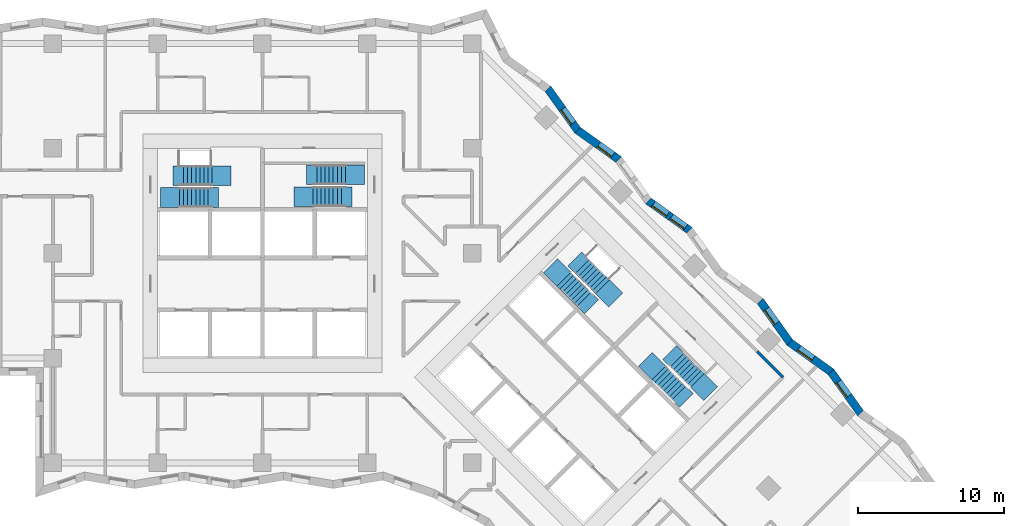
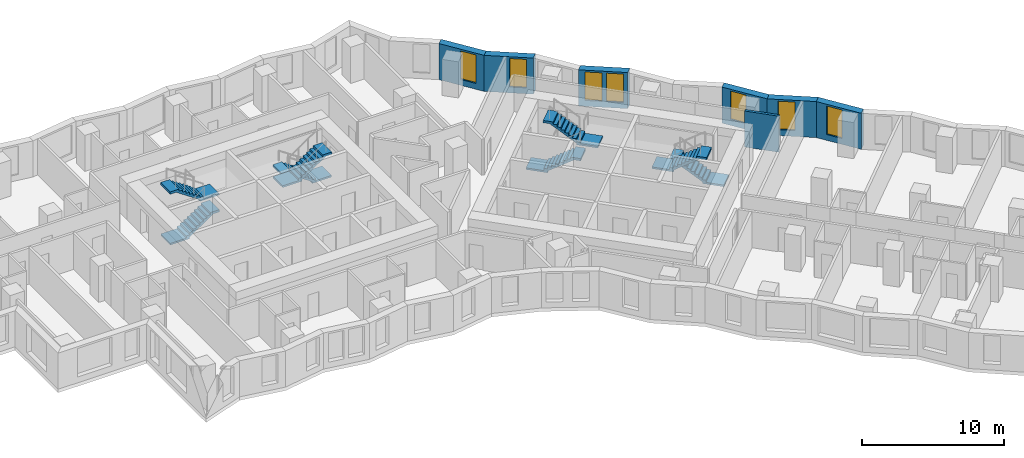
# One storey, part 10 of 12: 8 stair flights, 7 walls, 7 windows, 7 openings, 4 elements without a shape of their own.
"""IFC4 building model written with IfcOpenShell, lengths in metres."""

from ifc_helpers import new_model, si_unit, direction, frame, frame_2d, origin, place, context, subcontext, project, spatial, polyline, rectangle, outline, extrude, material, layer, layer_set, type_object, element, fill, aggregate, save


model = new_model("IFC4")

# Units and contexts
model_context = context("Model", 3, precision=1e-05, world=origin(), true_north=direction((0.0, 1.0)))
body_context = subcontext(model_context, "Body", "Model", "MODEL_VIEW")
ifc_project = project(units=[si_unit("LENGTHUNIT", "METRE"), si_unit("AREAUNIT", "SQUARE_METRE"), si_unit("VOLUMEUNIT", "CUBIC_METRE"), si_unit("PLANEANGLEUNIT", "RADIAN"), si_unit("MASSUNIT", "GRAM", prefix="KILO")], contexts=[model_context])

# Site, building, storey
site_placement = place(None, origin())
site = spatial("IfcSite", under=ifc_project, at=site_placement, CompositionType="ELEMENT")
building_placement = place(site_placement, origin())
building = spatial("IfcBuilding", under=site, at=building_placement, Name="Windrow Commons", CompositionType="ELEMENT")
storey_placement = place(building_placement, frame((0.0, 0.0, 57.6)))
storey = spatial("IfcBuildingStorey", under=building, at=storey_placement, Name="L15", CompositionType="ELEMENT", Elevation=57.6)

# Wall, opening, window
ifc_material_1 = material(Name="Brick masonry, red clay brick", Category="masonry")
ifc_layer_1 = layer(ifc_material_1, 0.55)
ifc_layer_set_1 = layer_set([ifc_layer_1], Name="Brick facade wall 550")
wall_type_1 = type_object("IfcWallType", Name="Brick facade wall 550", PredefinedType="SOLIDWALL", material=ifc_layer_set_1)
wall_1_placement = place(storey_placement, frame((105.8856, 46.6172, 0.0), z_axis=(0.0, 0.0, 1.0), x_axis=(-0.5813956737, 0.8136209625, 0.0)))
wall_1 = element("IfcWall", 1, at=wall_1_placement, inside=storey, type_object=wall_type_1, Name="Brick facade wall L15 12", PredefinedType="SOLIDWALL", context=body_context, shape_type="SweptSolid", body=[
    extrude(outline(polyline([(0.0458, -0.275), (3.5295, -0.275), (3.4379, 0.275), (-0.0458, 0.275), (0.0458, -0.275)])), origin(), (0.0, 0.0, 1.0), 3.1),
])
opening_1_placement = place(wall_1_placement, frame((1.4336, 0.0, 0.5)))
opening_1 = element("IfcOpeningElement", 2, at=opening_1_placement, cuts=wall_1, Name="Opening W7D", PredefinedType="OPENING", context=body_context, shape_type="SweptSolid", body=[
    extrude(rectangle(XDim=1.2, YDim=2.45, at=frame_2d((0.6, 1.225))), frame((0.0, 0.285, 0.0), z_axis=(0.0, -1.0, 0.0), x_axis=(1.0, 0.0, 0.0)), (0.0, 0.0, 1.0), 0.57),
])
ifc_material_2 = material(Name="Clear float glass in anodised aluminium frame", Category="aluminium")
window_type = type_object("IfcWindowType", Name="Window W7 notch 1200x2450", PartitioningType="SINGLE_PANEL", PredefinedType="WINDOW", material=ifc_material_2)
window_1_placement = place(opening_1_placement, origin())
window_1 = element("IfcWindow", 3, at=window_1_placement, inside=storey, type_object=window_type, Name="Window L15 12.1", OverallHeight=2.45, OverallWidth=1.2, PartitioningType="SINGLE_PANEL", PredefinedType="WINDOW", context=body_context, shape_type="SweptSolid", body=[
    extrude(rectangle(XDim=1.2, YDim=2.45, at=frame_2d((0.6, 1.225))), frame((0.0, 0.155, 0.0), z_axis=(0.0, -1.0, 0.0), x_axis=(1.0, 0.0, 0.0)), (0.0, 0.0, 1.0), 0.06),
])
fill(opening_1, window_1)

wall_2_placement = place(storey_placement, frame((103.8602, 49.4516, 0.0), z_axis=(0.0, 0.0, 1.0), x_axis=(-0.8136209625, 0.5813956737, 0.0)))
wall_2 = element("IfcWall", 4, at=wall_2_placement, inside=storey, type_object=wall_type_1, Name="Brick facade wall L15 13", PredefinedType="SOLIDWALL", context=body_context, shape_type="SweptSolid", body=[
    extrude(outline(polyline([(-0.0458, -0.275), (3.4379, -0.275), (3.5295, 0.275), (0.0458, 0.275), (-0.0458, -0.275)])), origin(), (0.0, 0.0, 1.0), 3.1),
])
opening_2_placement = place(wall_2_placement, frame((1.5394, 0.0, 0.5)))
opening_2 = element("IfcOpeningElement", 5, at=opening_2_placement, cuts=wall_2, Name="Opening W7D", PredefinedType="OPENING", context=body_context, shape_type="SweptSolid", body=[
    extrude(rectangle(XDim=1.2, YDim=2.45, at=frame_2d((0.6, 1.225))), frame((0.0, 0.285, 0.0), z_axis=(0.0, -1.0, 0.0), x_axis=(1.0, 0.0, 0.0)), (0.0, 0.0, 1.0), 0.57),
])
window_2_placement = place(opening_2_placement, origin())
window_2 = element("IfcWindow", 6, at=window_2_placement, inside=storey, type_object=window_type, Name="Window L15 13.1", OverallHeight=2.45, OverallWidth=1.2, PartitioningType="SINGLE_PANEL", PredefinedType="WINDOW", context=body_context, shape_type="SweptSolid", body=[
    extrude(rectangle(XDim=1.2, YDim=2.45, at=frame_2d((0.6, 1.225))), frame((0.0, 0.155, 0.0), z_axis=(0.0, -1.0, 0.0), x_axis=(1.0, 0.0, 0.0)), (0.0, 0.0, 1.0), 0.06),
])
fill(opening_2, window_2)

wall_3_placement = place(storey_placement, frame((101.0258, 51.477, 0.0), z_axis=(0.0, 0.0, 1.0), x_axis=(-0.5813956737, 0.8136209625, 0.0)))
wall_3 = element("IfcWall", 7, at=wall_3_placement, inside=storey, type_object=wall_type_1, Name="Brick facade wall L15 14", PredefinedType="SOLIDWALL", context=body_context, shape_type="SweptSolid", body=[
    extrude(outline(polyline([(0.0458, -0.275), (3.5295, -0.275), (3.4379, 0.275), (-0.0458, 0.275), (0.0458, -0.275)])), origin(), (0.0, 0.0, 1.0), 3.1),
])
opening_3_placement = place(wall_3_placement, frame((1.5994, 0.0, 0.5)))
opening_3 = element("IfcOpeningElement", 8, at=opening_3_placement, cuts=wall_3, Name="Opening W7D", PredefinedType="OPENING", context=body_context, shape_type="SweptSolid", body=[
    extrude(rectangle(XDim=1.2, YDim=2.45, at=frame_2d((0.6, 1.225))), frame((0.0, 0.285, 0.0), z_axis=(0.0, -1.0, 0.0), x_axis=(1.0, 0.0, 0.0)), (0.0, 0.0, 1.0), 0.57),
])
window_3_placement = place(opening_3_placement, origin())
window_3 = element("IfcWindow", 9, at=window_3_placement, inside=storey, type_object=window_type, Name="Window L15 14.1", OverallHeight=2.45, OverallWidth=1.2, PartitioningType="SINGLE_PANEL", PredefinedType="WINDOW", context=body_context, shape_type="SweptSolid", body=[
    extrude(rectangle(XDim=1.2, YDim=2.45, at=frame_2d((0.6, 1.225))), frame((0.0, 0.155, 0.0), z_axis=(0.0, -1.0, 0.0), x_axis=(1.0, 0.0, 0.0)), (0.0, 0.0, 1.0), 0.06),
])
fill(opening_3, window_3)

# Wall, openings, windows
wall_4_placement = place(storey_placement, frame((94.1406, 59.1712, 0.0), z_axis=(0.0, 0.0, 1.0), x_axis=(-0.8136209625, 0.5813956737, 0.0)))
wall_4 = element("IfcWall", 10, at=wall_4_placement, inside=storey, type_object=wall_type_1, Name="Brick facade wall L15 17", PredefinedType="SOLIDWALL", context=body_context, shape_type="SweptSolid", body=[
    extrude(outline(polyline([(-0.0458, -0.275), (3.4379, -0.275), (3.5295, 0.275), (0.0458, 0.275), (-0.0458, -0.275)])), origin(), (0.0, 0.0, 1.0), 3.1),
])
opening_4_placement = place(wall_4_placement, frame((0.3521, 0.0, 0.5)))
opening_4 = element("IfcOpeningElement", 11, at=opening_4_placement, cuts=wall_4, Name="Opening W7D", PredefinedType="OPENING", context=body_context, shape_type="SweptSolid", body=[
    extrude(rectangle(XDim=1.2, YDim=2.45, at=frame_2d((0.6, 1.225))), frame((0.0, 0.285, 0.0), z_axis=(0.0, -1.0, 0.0), x_axis=(1.0, 0.0, 0.0)), (0.0, 0.0, 1.0), 0.57),
])
opening_5_placement = place(wall_4_placement, frame((1.8711, 0.0, 0.5)))
opening_5 = element("IfcOpeningElement", 12, at=opening_5_placement, cuts=wall_4, Name="Opening W7D", PredefinedType="OPENING", context=body_context, shape_type="SweptSolid", body=[
    extrude(rectangle(XDim=1.2, YDim=2.45, at=frame_2d((0.6, 1.225))), frame((0.0, 0.285, 0.0), z_axis=(0.0, -1.0, 0.0), x_axis=(1.0, 0.0, 0.0)), (0.0, 0.0, 1.0), 0.57),
])
window_4_placement = place(opening_4_placement, origin())
window_4 = element("IfcWindow", 13, at=window_4_placement, inside=storey, type_object=window_type, Name="Window L15 17.1", OverallHeight=2.45, OverallWidth=1.2, PartitioningType="SINGLE_PANEL", PredefinedType="WINDOW", context=body_context, shape_type="SweptSolid", body=[
    extrude(rectangle(XDim=1.2, YDim=2.45, at=frame_2d((0.6, 1.225))), frame((0.0, 0.155, 0.0), z_axis=(0.0, -1.0, 0.0), x_axis=(1.0, 0.0, 0.0)), (0.0, 0.0, 1.0), 0.06),
])
fill(opening_4, window_4)
window_5_placement = place(opening_5_placement, origin())
window_5 = element("IfcWindow", 14, at=window_5_placement, inside=storey, type_object=window_type, Name="Window L15 17.2", OverallHeight=2.45, OverallWidth=1.2, PartitioningType="SINGLE_PANEL", PredefinedType="WINDOW", context=body_context, shape_type="SweptSolid", body=[
    extrude(rectangle(XDim=1.2, YDim=2.45, at=frame_2d((0.6, 1.225))), frame((0.0, 0.155, 0.0), z_axis=(0.0, -1.0, 0.0), x_axis=(1.0, 0.0, 0.0)), (0.0, 0.0, 1.0), 0.06),
])
fill(opening_5, window_5)

# Wall, opening, window
wall_5_placement = place(storey_placement, frame((89.2808, 64.031, 0.0), z_axis=(0.0, 0.0, 1.0), x_axis=(-0.8136209625, 0.5813956737, 0.0)))
wall_5 = element("IfcWall", 15, at=wall_5_placement, inside=storey, type_object=wall_type_1, Name="Brick facade wall L15 19", PredefinedType="SOLIDWALL", context=body_context, shape_type="SweptSolid", body=[
    extrude(outline(polyline([(-0.0458, -0.275), (3.4379, -0.275), (3.5295, 0.275), (0.0458, 0.275), (-0.0458, -0.275)])), origin(), (0.0, 0.0, 1.0), 3.1),
])
opening_6_placement = place(wall_5_placement, frame((0.518, 0.0, 0.5)))
opening_6 = element("IfcOpeningElement", 16, at=opening_6_placement, cuts=wall_5, Name="Opening W7D", PredefinedType="OPENING", context=body_context, shape_type="SweptSolid", body=[
    extrude(rectangle(XDim=1.2, YDim=2.45, at=frame_2d((0.6, 1.225))), frame((0.0, 0.285, 0.0), z_axis=(0.0, -1.0, 0.0), x_axis=(1.0, 0.0, 0.0)), (0.0, 0.0, 1.0), 0.57),
])
window_6_placement = place(opening_6_placement, origin())
window_6 = element("IfcWindow", 17, at=window_6_placement, inside=storey, type_object=window_type, Name="Window L15 19.1", OverallHeight=2.45, OverallWidth=1.2, PartitioningType="SINGLE_PANEL", PredefinedType="WINDOW", context=body_context, shape_type="SweptSolid", body=[
    extrude(rectangle(XDim=1.2, YDim=2.45, at=frame_2d((0.6, 1.225))), frame((0.0, 0.155, 0.0), z_axis=(0.0, -1.0, 0.0), x_axis=(1.0, 0.0, 0.0)), (0.0, 0.0, 1.0), 0.06),
])
fill(opening_6, window_6)

wall_6_placement = place(storey_placement, frame((86.4464, 66.0564, 0.0), z_axis=(0.0, 0.0, 1.0), x_axis=(-0.5813956737, 0.8136209625, 0.0)))
wall_6 = element("IfcWall", 18, at=wall_6_placement, inside=storey, type_object=wall_type_1, Name="Brick facade wall L15 20", PredefinedType="SOLIDWALL", context=body_context, shape_type="SweptSolid", body=[
    extrude(outline(polyline([(0.0458, -0.275), (3.5295, -0.275), (3.4379, 0.275), (-0.0458, 0.275), (0.0458, -0.275)])), origin(), (0.0, 0.0, 1.0), 3.1),
])
opening_7_placement = place(wall_6_placement, frame((0.578, 0.0, 0.5)))
opening_7 = element("IfcOpeningElement", 19, at=opening_7_placement, cuts=wall_6, Name="Opening W7D", PredefinedType="OPENING", context=body_context, shape_type="SweptSolid", body=[
    extrude(rectangle(XDim=1.2, YDim=2.45, at=frame_2d((0.6, 1.225))), frame((0.0, 0.285, 0.0), z_axis=(0.0, -1.0, 0.0), x_axis=(1.0, 0.0, 0.0)), (0.0, 0.0, 1.0), 0.57),
])
window_7_placement = place(opening_7_placement, origin())
window_7 = element("IfcWindow", 20, at=window_7_placement, inside=storey, type_object=window_type, Name="Window L15 20.1", OverallHeight=2.45, OverallWidth=1.2, PartitioningType="SINGLE_PANEL", PredefinedType="WINDOW", context=body_context, shape_type="SweptSolid", body=[
    extrude(rectangle(XDim=1.2, YDim=2.45, at=frame_2d((0.6, 1.225))), frame((0.0, 0.155, 0.0), z_axis=(0.0, -1.0, 0.0), x_axis=(1.0, 0.0, 0.0)), (0.0, 0.0, 1.0), 0.06),
])
fill(opening_7, window_7)

# Wall
ifc_material_3 = material(Name="Blockwork partition", Category="masonry")
ifc_layer_2 = layer(ifc_material_3, 0.2)
ifc_layer_set_2 = layer_set([ifc_layer_2], Name="IW-CORRIDOR-200")
wall_type_2 = type_object("IfcWallType", Name="IW-CORRIDOR-200", PredefinedType="PARTITIONING", material=ifc_layer_set_2)
wall_7_placement = place(storey_placement, frame((98.783, 50.855, 0.0), z_axis=(0.0, 0.0, 1.0), x_axis=(0.7071067812, -0.7071067812, 0.0)))
element("IfcWall", 21, at=wall_7_placement, inside=storey, type_object=wall_type_2, Name="W-L15-W070", PredefinedType="PARTITIONING", context=body_context, shape_type="SweptSolid", body=[
    extrude(rectangle(XDim=2.5003, YDim=0.2, at=frame_2d((1.2502, 0.0))), origin(), (0.0, 0.0, 1.0), 3.1),
])

# Stair, stair flights
ifc_material_4 = material(Name="Concrete C40/50", Category="concrete")
stair_type = type_object("IfcStairType", Name="Core stair", PredefinedType="HALF_TURN_STAIR", material=ifc_material_4)
placement = place(storey_placement, origin())
stair_1 = element("IfcStair", 22, at=placement, inside=storey, type_object=stair_type, Name="L15 Exit stair A1 core A", PredefinedType="HALF_TURN_STAIR")
ifc_material_5 = material(Name="Concrete C40/50", Category="concrete")
stair_flight_type = type_object("IfcStairFlightType", Name="Core stair flight", PredefinedType="STRAIGHT", material=ifc_material_5)
stair_flight_1_placement = place(storey_placement, frame((59.1, 61.425, 0.0), z_axis=(0.0, 0.0, 1.0), x_axis=(1.0, 0.0, 0.0)))
stair_flight_1 = element("IfcStairFlight", 23, at=stair_flight_1_placement, type_object=stair_flight_type, Name="ST-A1 flight 1", NumberOfRisers=9, NumberOfTreads=8, PredefinedType="STRAIGHT", RiserHeight=0.188888889, TreadLength=0.28, context=body_context, shape_type="SweptSolid", body=[
    extrude(outline(polyline([(-1.3, -0.15), (-1.3, 0.0), (0.0, 0.0), (0.0, 0.1889), (0.28, 0.1889), (0.28, 0.3778), (0.56, 0.3778), (0.56, 0.5667), (0.84, 0.5667), (0.84, 0.7556), (1.12, 0.7556), (1.12, 0.9444), (1.4, 0.9444), (1.4, 1.1333), (1.68, 1.1333), (1.68, 1.3222), (1.96, 1.3222), (1.96, 1.5111), (2.24, 1.5111), (2.69, 1.5111), (2.69, 1.3111), (2.24, 1.3111), (2.24, 1.3302), (0.2682, 0.0), (0.2682, -0.15), (-1.3, -0.15)])), frame((0.0, 0.675, 0.0), z_axis=(0.0, -1.0, 0.0), x_axis=(1.0, 0.0, 0.0)), (0.0, 0.0, 1.0), 1.35),
])
stair_flight_2_placement = place(storey_placement, frame((61.34, 62.925, 1.7), z_axis=(0.0, 0.0, 1.0), x_axis=(-1.0, 0.0, 0.0)))
stair_flight_2 = element("IfcStairFlight", 24, at=stair_flight_2_placement, type_object=stair_flight_type, Name="ST-A1 flight 2", NumberOfRisers=9, NumberOfTreads=8, PredefinedType="STRAIGHT", RiserHeight=0.188888889, TreadLength=0.28, context=body_context, shape_type="SweptSolid", body=[
    extrude(outline(polyline([(-1.3, -0.15), (-1.3, 0.0), (0.0, 0.0), (0.0, 0.1889), (0.28, 0.1889), (0.28, 0.3778), (0.56, 0.3778), (0.56, 0.5667), (0.84, 0.5667), (0.84, 0.7556), (1.12, 0.7556), (1.12, 0.9444), (1.4, 0.9444), (1.4, 1.1333), (1.68, 1.1333), (1.68, 1.3222), (1.96, 1.3222), (1.96, 1.5111), (2.24, 1.5111), (2.69, 1.5111), (2.69, 1.3111), (2.24, 1.3111), (2.24, 1.3302), (0.2682, 0.0), (0.2682, -0.15), (-1.3, -0.15)])), frame((0.0, 0.675, 0.0), z_axis=(0.0, -1.0, 0.0), x_axis=(1.0, 0.0, 0.0)), (0.0, 0.0, 1.0), 1.35),
])
aggregate(stair_1, [stair_flight_1, stair_flight_2])

stair_2 = element("IfcStair", 25, at=placement, inside=storey, type_object=stair_type, Name="L15 Exit stair A2 core A", PredefinedType="HALF_TURN_STAIR")
stair_flight_3_placement = place(storey_placement, frame((70.5, 62.98, 0.0), z_axis=(0.0, 0.0, 1.0), x_axis=(-1.0, 0.0, 0.0)))
stair_flight_3 = element("IfcStairFlight", 26, at=stair_flight_3_placement, type_object=stair_flight_type, Name="ST-A2 flight 1", NumberOfRisers=9, NumberOfTreads=8, PredefinedType="STRAIGHT", RiserHeight=0.188888889, TreadLength=0.28, context=body_context, shape_type="SweptSolid", body=[
    extrude(outline(polyline([(-1.3, -0.15), (-1.3, 0.0), (0.0, 0.0), (0.0, 0.1889), (0.28, 0.1889), (0.28, 0.3778), (0.56, 0.3778), (0.56, 0.5667), (0.84, 0.5667), (0.84, 0.7556), (1.12, 0.7556), (1.12, 0.9444), (1.4, 0.9444), (1.4, 1.1333), (1.68, 1.1333), (1.68, 1.3222), (1.96, 1.3222), (1.96, 1.5111), (2.24, 1.5111), (2.69, 1.5111), (2.69, 1.3111), (2.24, 1.3111), (2.24, 1.3302), (0.2682, 0.0), (0.2682, -0.15), (-1.3, -0.15)])), frame((0.0, 0.675, 0.0), z_axis=(0.0, -1.0, 0.0), x_axis=(1.0, 0.0, 0.0)), (0.0, 0.0, 1.0), 1.35),
])
stair_flight_4_placement = place(storey_placement, frame((68.26, 61.48, 1.7), z_axis=(0.0, 0.0, 1.0), x_axis=(1.0, 0.0, 0.0)))
stair_flight_4 = element("IfcStairFlight", 27, at=stair_flight_4_placement, type_object=stair_flight_type, Name="ST-A2 flight 2", NumberOfRisers=9, NumberOfTreads=8, PredefinedType="STRAIGHT", RiserHeight=0.188888889, TreadLength=0.28, context=body_context, shape_type="SweptSolid", body=[
    extrude(outline(polyline([(-1.3, -0.15), (-1.3, 0.0), (0.0, 0.0), (0.0, 0.1889), (0.28, 0.1889), (0.28, 0.3778), (0.56, 0.3778), (0.56, 0.5667), (0.84, 0.5667), (0.84, 0.7556), (1.12, 0.7556), (1.12, 0.9444), (1.4, 0.9444), (1.4, 1.1333), (1.68, 1.1333), (1.68, 1.3222), (1.96, 1.3222), (1.96, 1.5111), (2.24, 1.5111), (2.69, 1.5111), (2.69, 1.3111), (2.24, 1.3111), (2.24, 1.3302), (0.2682, 0.0), (0.2682, -0.15), (-1.3, -0.15)])), frame((0.0, 0.675, 0.0), z_axis=(0.0, -1.0, 0.0), x_axis=(1.0, 0.0, 0.0)), (0.0, 0.0, 1.0), 1.35),
])
aggregate(stair_2, [stair_flight_3, stair_flight_4])

stair_3 = element("IfcStair", 28, at=placement, inside=storey, type_object=stair_type, Name="L15 Exit stair B1 core B", PredefinedType="HALF_TURN_STAIR")
stair_flight_5_placement = place(storey_placement, frame((85.5109, 55.8249, 0.0), z_axis=(0.0, 0.0, 1.0), x_axis=(0.7071067812, -0.7071067812, 0.0)))
stair_flight_5 = element("IfcStairFlight", 29, at=stair_flight_5_placement, type_object=stair_flight_type, Name="ST-B1 flight 1", NumberOfRisers=9, NumberOfTreads=8, PredefinedType="STRAIGHT", RiserHeight=0.188888889, TreadLength=0.28, context=body_context, shape_type="SweptSolid", body=[
    extrude(outline(polyline([(-1.3, -0.15), (-1.3, 0.0), (0.0, 0.0), (0.0, 0.1889), (0.28, 0.1889), (0.28, 0.3778), (0.56, 0.3778), (0.56, 0.5667), (0.84, 0.5667), (0.84, 0.7556), (1.12, 0.7556), (1.12, 0.9444), (1.4, 0.9444), (1.4, 1.1333), (1.68, 1.1333), (1.68, 1.3222), (1.96, 1.3222), (1.96, 1.5111), (2.24, 1.5111), (2.69, 1.5111), (2.69, 1.3111), (2.24, 1.3111), (2.24, 1.3302), (0.2682, 0.0), (0.2682, -0.15), (-1.3, -0.15)])), frame((0.0, 0.675, 0.0), z_axis=(0.0, -1.0, 0.0), x_axis=(1.0, 0.0, 0.0)), (0.0, 0.0, 1.0), 1.35),
])
stair_flight_6_placement = place(storey_placement, frame((88.1555, 55.3017, 1.7), z_axis=(0.0, 0.0, 1.0), x_axis=(-0.7071067812, 0.7071067812, 0.0)))
stair_flight_6 = element("IfcStairFlight", 30, at=stair_flight_6_placement, type_object=stair_flight_type, Name="ST-B1 flight 2", NumberOfRisers=9, NumberOfTreads=8, PredefinedType="STRAIGHT", RiserHeight=0.188888889, TreadLength=0.28, context=body_context, shape_type="SweptSolid", body=[
    extrude(outline(polyline([(-1.3, -0.15), (-1.3, 0.0), (0.0, 0.0), (0.0, 0.1889), (0.28, 0.1889), (0.28, 0.3778), (0.56, 0.3778), (0.56, 0.5667), (0.84, 0.5667), (0.84, 0.7556), (1.12, 0.7556), (1.12, 0.9444), (1.4, 0.9444), (1.4, 1.1333), (1.68, 1.1333), (1.68, 1.3222), (1.96, 1.3222), (1.96, 1.5111), (2.24, 1.5111), (2.69, 1.5111), (2.69, 1.3111), (2.24, 1.3111), (2.24, 1.3302), (0.2682, 0.0), (0.2682, -0.15), (-1.3, -0.15)])), frame((0.0, 0.675, 0.0), z_axis=(0.0, -1.0, 0.0), x_axis=(1.0, 0.0, 0.0)), (0.0, 0.0, 1.0), 1.35),
])
aggregate(stair_3, [stair_flight_5, stair_flight_6])

stair_4 = element("IfcStair", 31, at=placement, inside=storey, type_object=stair_type, Name="L15 Exit stair B2 core B", PredefinedType="HALF_TURN_STAIR")
stair_flight_7_placement = place(storey_placement, frame((94.6715, 48.8635, 0.0), z_axis=(0.0, 0.0, 1.0), x_axis=(-0.7071067812, 0.7071067812, 0.0)))
stair_flight_7 = element("IfcStairFlight", 32, at=stair_flight_7_placement, type_object=stair_flight_type, Name="ST-B2 flight 1", NumberOfRisers=9, NumberOfTreads=8, PredefinedType="STRAIGHT", RiserHeight=0.188888889, TreadLength=0.28, context=body_context, shape_type="SweptSolid", body=[
    extrude(outline(polyline([(-1.3, -0.15), (-1.3, 0.0), (0.0, 0.0), (0.0, 0.1889), (0.28, 0.1889), (0.28, 0.3778), (0.56, 0.3778), (0.56, 0.5667), (0.84, 0.5667), (0.84, 0.7556), (1.12, 0.7556), (1.12, 0.9444), (1.4, 0.9444), (1.4, 1.1333), (1.68, 1.1333), (1.68, 1.3222), (1.96, 1.3222), (1.96, 1.5111), (2.24, 1.5111), (2.69, 1.5111), (2.69, 1.3111), (2.24, 1.3111), (2.24, 1.3302), (0.2682, 0.0), (0.2682, -0.15), (-1.3, -0.15)])), frame((0.0, 0.675, 0.0), z_axis=(0.0, -1.0, 0.0), x_axis=(1.0, 0.0, 0.0)), (0.0, 0.0, 1.0), 1.35),
])
stair_flight_8_placement = place(storey_placement, frame((92.0269, 49.3867, 1.7), z_axis=(0.0, 0.0, 1.0), x_axis=(0.7071067812, -0.7071067812, 0.0)))
stair_flight_8 = element("IfcStairFlight", 33, at=stair_flight_8_placement, type_object=stair_flight_type, Name="ST-B2 flight 2", NumberOfRisers=9, NumberOfTreads=8, PredefinedType="STRAIGHT", RiserHeight=0.188888889, TreadLength=0.28, context=body_context, shape_type="SweptSolid", body=[
    extrude(outline(polyline([(-1.3, -0.15), (-1.3, 0.0), (0.0, 0.0), (0.0, 0.1889), (0.28, 0.1889), (0.28, 0.3778), (0.56, 0.3778), (0.56, 0.5667), (0.84, 0.5667), (0.84, 0.7556), (1.12, 0.7556), (1.12, 0.9444), (1.4, 0.9444), (1.4, 1.1333), (1.68, 1.1333), (1.68, 1.3222), (1.96, 1.3222), (1.96, 1.5111), (2.24, 1.5111), (2.69, 1.5111), (2.69, 1.3111), (2.24, 1.3111), (2.24, 1.3302), (0.2682, 0.0), (0.2682, -0.15), (-1.3, -0.15)])), frame((0.0, 0.675, 0.0), z_axis=(0.0, -1.0, 0.0), x_axis=(1.0, 0.0, 0.0)), (0.0, 0.0, 1.0), 1.35),
])
aggregate(stair_4, [stair_flight_7, stair_flight_8])

save(model, "model.ifc")
